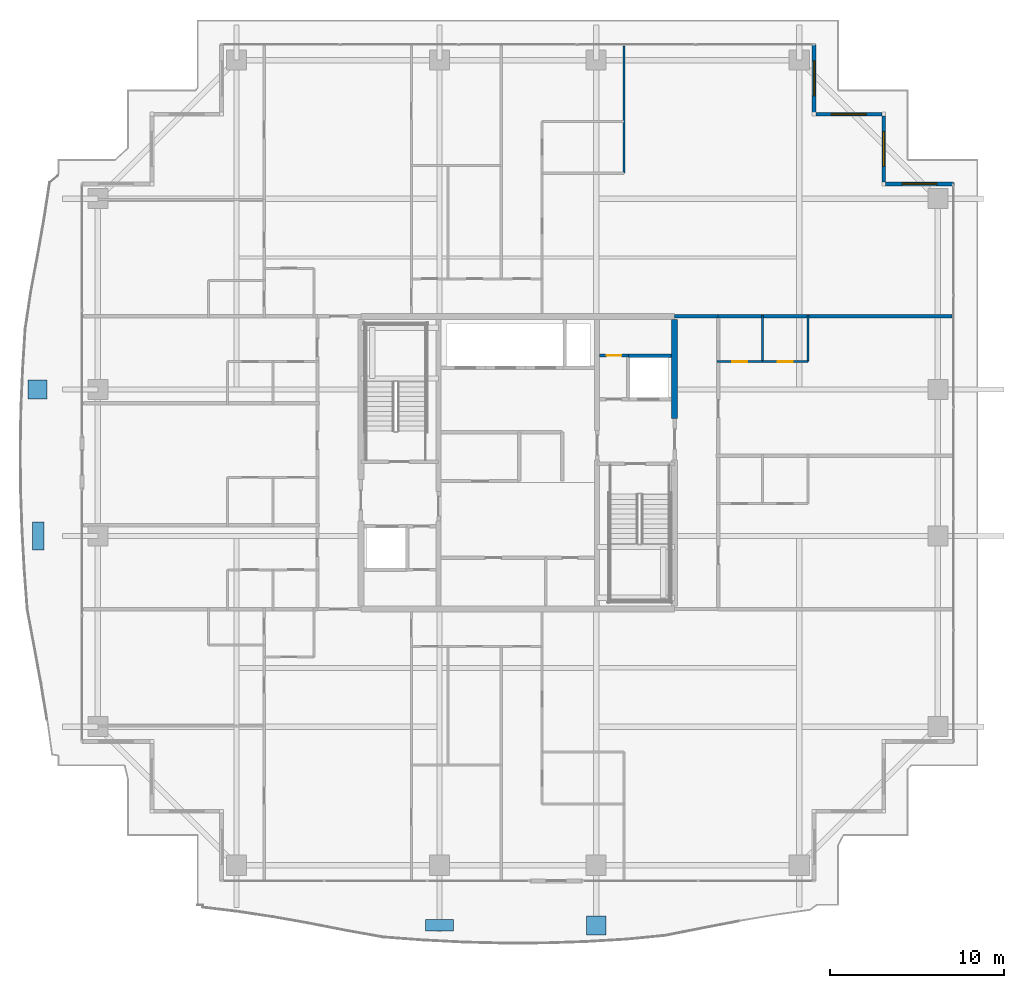
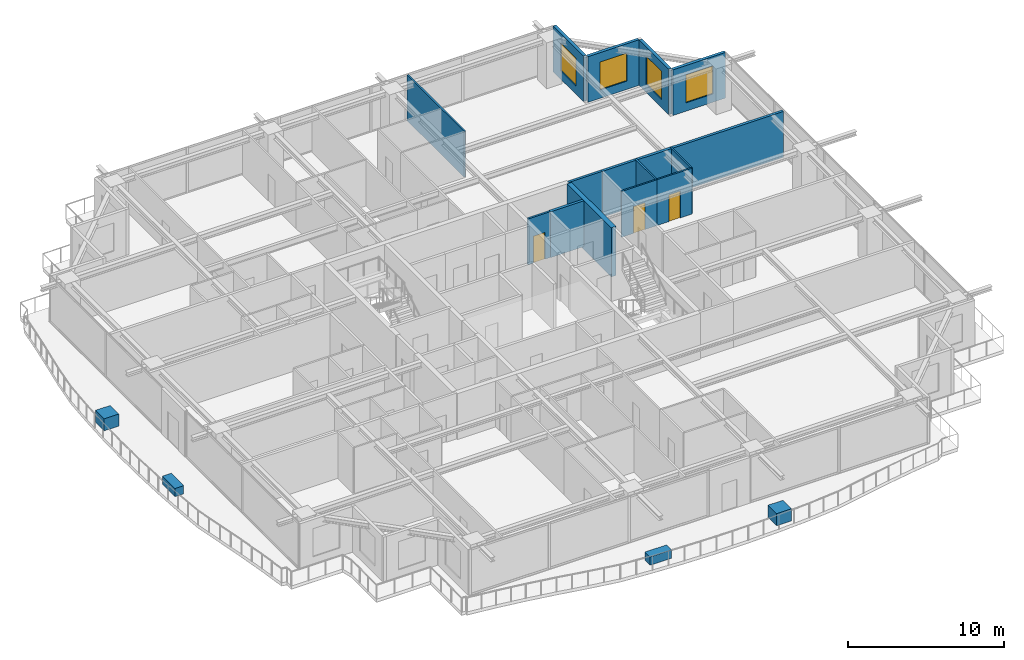
# One storey, part 29 of 36: 14 walls, 4 discrete accessories, 4 windows, 3 doors, 7 openings.
"""IFC4 building model written with IfcOpenShell, lengths in metres."""

from ifc_helpers import new_model, si_unit, direction, frame, frame_2d, origin, origin_2d, place, context, subcontext, project, spatial, rectangle, extrude, source, transform, mapped, material, layer, layer_set, type_object, element, fill, save


model = new_model("IFC4")

# Units and contexts
model_context = context("Model", 3, precision=1e-05, world=origin(), true_north=direction((0.0, 1.0)))
body_context = subcontext(model_context, "Body", "Model", "MODEL_VIEW")
ifc_project = project(units=[si_unit("LENGTHUNIT", "METRE"), si_unit("AREAUNIT", "SQUARE_METRE"), si_unit("VOLUMEUNIT", "CUBIC_METRE"), si_unit("PLANEANGLEUNIT", "RADIAN"), si_unit("MASSUNIT", "GRAM", prefix="KILO")], contexts=[model_context])

# Site, building, storey
site_placement = place(None, origin())
site = spatial("IfcSite", under=ifc_project, at=site_placement, CompositionType="ELEMENT")
building_placement = place(site_placement, origin())
building = spatial("IfcBuilding", under=site, at=building_placement, Name="Serunith Strait Residences", CompositionType="ELEMENT")
storey_placement = place(building_placement, frame((0.0, 0.0, 272.050048828125)))
storey = spatial("IfcBuildingStorey", under=building, at=storey_placement, Name="L68", CompositionType="ELEMENT", Elevation=272.050048828125)

# Wall, opening, window
ifc_material_1 = material(Name="Pale-Champagne Aluminium Insulated Panel", Category="aluminium")
ifc_layer_1 = layer(ifc_material_1, 0.219970703125, Name="Pale-Champagne Aluminium Insulated Panel")
ifc_layer_set_1 = layer_set([ifc_layer_1], Name="Pale-Champagne Aluminium Insulated Panel")
wall_type_1 = type_object("IfcWallType", Name="EW-ALUM-220", PredefinedType="ELEMENTEDWALL", material=ifc_layer_set_1)
wall_1_placement = place(storey_placement, frame((57.39990234375, 41.199951171875, 0.0), z_axis=(0.0, 0.0, 1.0), x_axis=(-1.0, 0.0, 0.0)))
wall_1 = element("IfcWall", 1, at=wall_1_placement, inside=storey, type_object=wall_type_1, Name="L68 Girih Serrated Corner Wall 07", PredefinedType="ELEMENTEDWALL", context=body_context, shape_type="SweptSolid", body=[
    extrude(rectangle(XDim=3.889892578125, YDim=0.219970703125, at=frame_2d((1.94482421875, 0.0))), origin(), (0.0, 0.0, 1.0), 3.574951171875),
])
opening_1_placement = place(wall_1_placement, frame((0.945068359375, 0.0, 0.64990234375)))
opening_1 = element("IfcOpeningElement", 2, at=opening_1_placement, cuts=wall_1, Name="Opening W-04", PredefinedType="OPENING", context=body_context, shape_type="SweptSolid", body=[
    extrude(rectangle(XDim=2.0, YDim=2.199951171875, at=frame_2d((1.0, 1.10009765625))), frame((0.0, 0.1201171875, 0.0), z_axis=(0.0, -1.0, 0.0), x_axis=(1.0, 0.0, 0.0)), (0.0, 0.0, 1.0), 0.239990234375),
])
ifc_material_2 = material(Name="Ceramic-Fritted Operable Aluminium Window Glass", Category="aluminium")
window_type = type_object("IfcWindowType", Name="WIN-C4", PartitioningType="TRIPLE_PANEL_VERTICAL", PredefinedType="WINDOW", material=ifc_material_2)
shared_shape_1 = source(origin(), body_context, "Body", "SweptSolid", [
    extrude(rectangle(XDim=2.0, YDim=2.199951171875, at=frame_2d((1.0, 1.10009765625))), frame((0.0, 0.030029296875, 0.0), z_axis=(0.0, -1.0, 0.0), x_axis=(1.0, 0.0, 0.0)), (0.0, 0.0, 1.0), 0.06005859375),
])
window_1_placement = place(opening_1_placement, origin())
window_1 = element("IfcWindow", 3, at=window_1_placement, inside=storey, type_object=window_type, Name="L68 Corner Operable Fritted Window 07", OverallHeight=2.199951171875, OverallWidth=2.0, PartitioningType="SINGLE_PANEL", PredefinedType="WINDOW", context=body_context, shape_type="MappedRepresentation", body=[
    mapped(shared_shape_1, transform((0.0, 0.0, 0.0), scale=1.0)),
])
fill(opening_1, window_1)

wall_2_placement = place(storey_placement, frame((53.39990234375, 41.31005859375, 0.0), z_axis=(0.0, 0.0, 1.0), x_axis=(0.0, 1.0, 0.0)))
wall_2 = element("IfcWall", 4, at=wall_2_placement, inside=storey, type_object=wall_type_1, Name="L68 Girih Serrated Corner Wall 08", PredefinedType="ELEMENTEDWALL", context=body_context, shape_type="SweptSolid", body=[
    extrude(rectangle(XDim=3.780029296875, YDim=0.219970703125, at=frame_2d((1.89013671875, 0.0))), origin(), (0.0, 0.0, 1.0), 3.574951171875),
])
opening_2_placement = place(wall_2_placement, frame((0.889892578125, 0.0, 0.64990234375)))
opening_2 = element("IfcOpeningElement", 5, at=opening_2_placement, cuts=wall_2, Name="Opening W-04", PredefinedType="OPENING", context=body_context, shape_type="SweptSolid", body=[
    extrude(rectangle(XDim=2.0, YDim=2.199951171875, at=frame_2d((1.0, 1.10009765625))), frame((0.0, 0.1201171875, 0.0), z_axis=(0.0, -1.0, 0.0), x_axis=(1.0, 0.0, 0.0)), (0.0, 0.0, 1.0), 0.239990234375),
])
window_2_placement = place(opening_2_placement, origin())
window_2 = element("IfcWindow", 6, at=window_2_placement, inside=storey, type_object=window_type, Name="L68 Corner Operable Fritted Window 08", OverallHeight=2.199951171875, OverallWidth=2.0, PartitioningType="SINGLE_PANEL", PredefinedType="WINDOW", context=body_context, shape_type="MappedRepresentation", body=[
    mapped(shared_shape_1, transform((0.0, 0.0, 0.0), scale=1.0)),
])
fill(opening_2, window_2)

wall_3_placement = place(storey_placement, frame((53.2900390625, 45.199951171875, 0.0), z_axis=(0.0, 0.0, 1.0), x_axis=(-1.0, 0.0, 0.0)))
wall_3 = element("IfcWall", 7, at=wall_3_placement, inside=storey, type_object=wall_type_1, Name="L68 Girih Serrated Corner Wall 09", PredefinedType="ELEMENTEDWALL", context=body_context, shape_type="SweptSolid", body=[
    extrude(rectangle(XDim=3.780029296875, YDim=0.219970703125, at=frame_2d((1.89013671875, 0.0))), origin(), (0.0, 0.0, 1.0), 3.574951171875),
])
opening_3_placement = place(wall_3_placement, frame((0.889892578125, 0.0, 0.64990234375)))
opening_3 = element("IfcOpeningElement", 8, at=opening_3_placement, cuts=wall_3, Name="Opening W-04", PredefinedType="OPENING", context=body_context, shape_type="SweptSolid", body=[
    extrude(rectangle(XDim=2.0, YDim=2.199951171875, at=frame_2d((1.0, 1.10009765625))), frame((0.0, 0.1201171875, 0.0), z_axis=(0.0, -1.0, 0.0), x_axis=(1.0, 0.0, 0.0)), (0.0, 0.0, 1.0), 0.239990234375),
])
window_3_placement = place(opening_3_placement, origin())
window_3 = element("IfcWindow", 9, at=window_3_placement, inside=storey, type_object=window_type, Name="L68 Corner Operable Fritted Window 09", OverallHeight=2.199951171875, OverallWidth=2.0, PartitioningType="SINGLE_PANEL", PredefinedType="WINDOW", context=body_context, shape_type="MappedRepresentation", body=[
    mapped(shared_shape_1, transform((0.0, 0.0, 0.0), scale=1.0)),
])
fill(opening_3, window_3)

wall_4_placement = place(storey_placement, frame((49.39990234375, 45.31005859375, 0.0), z_axis=(0.0, 0.0, 1.0), x_axis=(0.0, 1.0, 0.0)))
wall_4 = element("IfcWall", 10, at=wall_4_placement, inside=storey, type_object=wall_type_1, Name="L68 Girih Serrated Corner Wall 10", PredefinedType="ELEMENTEDWALL", context=body_context, shape_type="SweptSolid", body=[
    extrude(rectangle(XDim=3.889892578125, YDim=0.219970703125, at=frame_2d((1.94482421875, 0.0))), origin(), (0.0, 0.0, 1.0), 3.574951171875),
])
opening_4_placement = place(wall_4_placement, frame((0.945068359375, 0.0, 0.64990234375)))
opening_4 = element("IfcOpeningElement", 11, at=opening_4_placement, cuts=wall_4, Name="Opening W-04", PredefinedType="OPENING", context=body_context, shape_type="SweptSolid", body=[
    extrude(rectangle(XDim=2.0, YDim=2.199951171875, at=frame_2d((1.0, 1.10009765625))), frame((0.0, 0.1201171875, 0.0), z_axis=(0.0, -1.0, 0.0), x_axis=(1.0, 0.0, 0.0)), (0.0, 0.0, 1.0), 0.239990234375),
])
window_4_placement = place(opening_4_placement, origin())
window_4 = element("IfcWindow", 12, at=window_4_placement, inside=storey, type_object=window_type, Name="L68 Corner Operable Fritted Window 10", OverallHeight=2.199951171875, OverallWidth=2.0, PartitioningType="SINGLE_PANEL", PredefinedType="WINDOW", context=body_context, shape_type="MappedRepresentation", body=[
    mapped(shared_shape_1, transform((0.0, 0.0, 0.0), scale=1.0)),
])
fill(opening_4, window_4)

# Wall, opening, door
ifc_material_3 = material(Name="Fire-rated masonry service closet wall", Category="masonry")
ifc_layer_2 = layer(ifc_material_3, 0.14990234375, Name="Fire-rated masonry service closet wall")
ifc_layer_set_2 = layer_set([ifc_layer_2], Name="Fire-rated masonry service closet wall")
wall_type_2 = type_object("IfcWallType", Name="IW-BOH-150", PredefinedType="PARTITIONING", material=ifc_layer_set_2)
wall_5_placement = place(storey_placement, frame((37.10009765625, 31.35009765625, 0.0), z_axis=(0.0, 0.0, 1.0), x_axis=(1.0, 0.0, 0.0)))
wall_5 = element("IfcWall", 13, at=wall_5_placement, inside=storey, type_object=wall_type_2, Name="L68 Partition Wall 012", PredefinedType="PARTITIONING", context=body_context, shape_type="SweptSolid", body=[
    extrude(rectangle(XDim=1.64794921875, YDim=0.14990234375, at=frame_2d((0.823974609375, 0.0))), origin(), (0.0, 0.0, 1.0), 3.58984375),
])
opening_5_placement = place(wall_5_placement, frame((0.39892578125, 0.0, 0.0)))
opening_5 = element("IfcOpeningElement", 14, at=opening_5_placement, cuts=wall_5, Name="Opening FD-850", PredefinedType="OPENING", context=body_context, shape_type="SweptSolid", body=[
    extrude(rectangle(XDim=0.85009765625, YDim=2.10009765625, at=frame_2d((0.425048828125, 1.050048828125))), frame((0.0, 0.0849609375, 0.0), z_axis=(0.0, -1.0, 0.0), x_axis=(1.0, 0.0, 0.0)), (0.0, 0.0, 1.0), 0.169921875),
])
ifc_material_4 = material(Name="Powder-coated steel service closet door", Category="steel")
door_type_1 = type_object("IfcDoorType", Name="FD-BOH-850", OperationType="NOTDEFINED", PredefinedType="DOOR", material=ifc_material_4)
shared_shape_2 = source(origin(), body_context, "Body", "SweptSolid", [
    extrude(rectangle(XDim=0.85009765625, YDim=2.10009765625, at=frame_2d((0.425048828125, 1.050048828125))), frame((0.0, 0.02490234375, 0.0), z_axis=(0.0, -1.0, 0.0), x_axis=(1.0, 0.0, 0.0)), (0.0, 0.0, 1.0), 0.050048828125),
])
door_1_placement = place(opening_5_placement, origin())
door_1 = element("IfcDoor", 15, at=door_1_placement, inside=storey, type_object=door_type_1, Name="L68 Refuse Store Door", OperationType="SINGLE_SWING_LEFT", OverallHeight=2.10009765625, OverallWidth=0.85009765625, PredefinedType="DOOR", context=body_context, shape_type="MappedRepresentation", body=[
    mapped(shared_shape_2, transform((0.0, 0.0, 0.0), scale=1.0)),
])
fill(opening_5, door_1)

# Walls
ifc_material_5 = material(Name="Fire-rated acoustic gypsum partition")
ifc_layer_3 = layer(ifc_material_5, 0.179931640625, Name="Fire-rated acoustic gypsum partition")
ifc_layer_set_3 = layer_set([ifc_layer_3], Name="Fire-rated acoustic gypsum partition")
wall_type_3 = type_object("IfcWallType", Name="IW-CORR-180", PredefinedType="PARTITIONING", material=ifc_layer_set_3)
wall_6_placement = place(storey_placement, frame((41.402099609375, 33.60009765625, 0.0), z_axis=(0.0, 0.0, 1.0), x_axis=(1.0, 0.0, 0.0)))
element("IfcWall", 16, at=wall_6_placement, inside=storey, type_object=wall_type_3, Name="L68 Partition Wall 031", PredefinedType="PARTITIONING", context=body_context, shape_type="SweptSolid", body=[
    extrude(rectangle(XDim=2.495849609375, YDim=0.179931640625, at=frame_2d((1.248046875, 0.0))), origin(), (0.0, 0.0, 1.0), 3.58984375),
])
ifc_material_6 = material(Name="Lightweight steel-stud gypsum partition", Category="steel")
ifc_layer_4 = layer(ifc_material_6, 0.1201171875, Name="Lightweight steel-stud gypsum partition")
ifc_layer_set_4 = layer_set([ifc_layer_4], Name="Lightweight steel-stud gypsum partition")
wall_type_4 = type_object("IfcWallType", Name="IW-PART-120", PredefinedType="PARTITIONING", material=ifc_layer_set_4)
wall_7_placement = place(storey_placement, frame((38.5, 49.10498046875, 0.0), z_axis=(0.0, 0.0, 1.0), x_axis=(0.0, -1.0, 0.0)))
element("IfcWall", 17, at=wall_7_placement, inside=storey, type_object=wall_type_4, Name="L68 Partition Wall 074", PredefinedType="PARTITIONING", context=body_context, shape_type="SweptSolid", body=[
    extrude(rectangle(XDim=7.29296875, YDim=0.1201171875, at=frame_2d((3.646484375, 0.0))), origin(), (0.0, 0.0, 1.0), 3.58984375),
])

# Wall, opening, door
wall_8_placement = place(storey_placement, frame((49.050048828125, 31.0, 0.0), z_axis=(0.0, 0.0, 1.0), x_axis=(-1.0, 0.0, 0.0)))
wall_8 = element("IfcWall", 18, at=wall_8_placement, inside=storey, type_object=wall_type_4, Name="L68 Partition Wall 095", PredefinedType="PARTITIONING", context=body_context, shape_type="SweptSolid", body=[
    extrude(rectangle(XDim=2.60009765625, YDim=0.1201171875, at=frame_2d((1.300048828125, 0.0))), origin(), (0.0, 0.0, 1.0), 3.58984375),
])
opening_6_placement = place(wall_8_placement, frame((0.875, 0.0, 0.0)))
opening_6 = element("IfcOpeningElement", 19, at=opening_6_placement, cuts=wall_8, Name="Opening D-RM850", PredefinedType="OPENING", context=body_context, shape_type="SweptSolid", body=[
    extrude(rectangle(XDim=0.85009765625, YDim=2.10009765625, at=frame_2d((0.425048828125, 1.050048828125))), frame((0.0, 0.070068359375, 0.0), z_axis=(0.0, -1.0, 0.0), x_axis=(1.0, 0.0, 0.0)), (0.0, 0.0, 1.0), 0.14013671875),
])
ifc_material_7 = material(Name="Engineered timber flush study and kitchen door", Category="wood")
door_type_2 = type_object("IfcDoorType", Name="ID-ROOM-850", OperationType="NOTDEFINED", PredefinedType="DOOR", material=ifc_material_7)
door_2_placement = place(opening_6_placement, origin())
door_2 = element("IfcDoor", 20, at=door_2_placement, inside=storey, type_object=door_type_2, Name="L68 Kitchen 6807 Door", OperationType="SINGLE_SWING_RIGHT", OverallHeight=2.10009765625, OverallWidth=0.85009765625, PredefinedType="DOOR", context=body_context, shape_type="MappedRepresentation", body=[
    mapped(shared_shape_2, transform((0.0, 0.0, 0.0), scale=1.0)),
])
fill(opening_6, door_2)

wall_9_placement = place(storey_placement, frame((46.447998046875, 31.0, 0.0), z_axis=(0.0, 0.0, 1.0), x_axis=(-1.0, 0.0, 0.0)))
wall_9 = element("IfcWall", 21, at=wall_9_placement, inside=storey, type_object=wall_type_4, Name="L68 Partition Wall 096", PredefinedType="PARTITIONING", context=body_context, shape_type="SweptSolid", body=[
    extrude(rectangle(XDim=2.60791015625, YDim=0.1201171875, at=frame_2d((1.303955078125, 0.0))), origin(), (0.0, 0.0, 1.0), 3.58984375),
])
opening_7_placement = place(wall_9_placement, frame((0.87890625, 0.0, 0.0)))
opening_7 = element("IfcOpeningElement", 22, at=opening_7_placement, cuts=wall_9, Name="Opening D-BTH850", PredefinedType="OPENING", context=body_context, shape_type="SweptSolid", body=[
    extrude(rectangle(XDim=0.85009765625, YDim=2.10009765625, at=frame_2d((0.425048828125, 1.050048828125))), frame((0.0, 0.070068359375, 0.0), z_axis=(0.0, -1.0, 0.0), x_axis=(1.0, 0.0, 0.0)), (0.0, 0.0, 1.0), 0.14013671875),
])
ifc_material_8 = material(Name="Moisture-resistant timber bathroom door", Category="wood")
door_type_3 = type_object("IfcDoorType", Name="ID-BATH-850", OperationType="NOTDEFINED", PredefinedType="DOOR", material=ifc_material_8)
door_3_placement = place(opening_7_placement, origin())
door_3 = element("IfcDoor", 23, at=door_3_placement, inside=storey, type_object=door_type_3, Name="L68 Bathroom 6807 Door", OperationType="SINGLE_SWING_LEFT", OverallHeight=2.10009765625, OverallWidth=0.85009765625, PredefinedType="DOOR", context=body_context, shape_type="MappedRepresentation", body=[
    mapped(shared_shape_2, transform((0.0, 0.0, 0.0), scale=1.0)),
])
fill(opening_7, door_3)

# Walls
for number, where, z_axis, x_axis, name in (
    (24, (46.449951171875, 31.0, 0.0), (0.0, 0.0, 1.0), (0.0, 1.0, 0.0), "L68 Partition Wall 097"),
    (25, (49.050048828125, 31.0, 0.0), (0.0, 0.0, 1.0), (0.0, 1.0, 0.0), "L68 Partition Wall 098"),
):
    element("IfcWall", number, at=place(storey_placement, frame(where, z_axis=z_axis, x_axis=x_axis)), inside=storey, type_object=wall_type_4, Name=name, PredefinedType="PARTITIONING", context=body_context, shape_type="SweptSolid", body=[
        extrude(rectangle(XDim=2.659912109375, YDim=0.1201171875, at=frame_2d((1.330078125, 0.0))), origin(), (0.0, 0.0, 1.0), 3.58984375),
    ])
ifc_material_9 = material(Name="Twin-stud acoustic gypsum board partition")
ifc_layer_5 = layer(ifc_material_9, 0.199951171875, Name="Twin-stud acoustic gypsum board partition")
ifc_layer_set_5 = layer_set([ifc_layer_5], Name="Twin-stud acoustic gypsum board partition")
wall_type_5 = type_object("IfcWallType", Name="IW-PARTY-200", PredefinedType="PARTITIONING", material=ifc_layer_set_5)
wall_10_placement = place(storey_placement, frame((43.89990234375, 33.60009765625, 0.0), z_axis=(0.0, 0.0, 1.0), x_axis=(1.0, 0.0, 0.0)))
element("IfcWall", 26, at=wall_10_placement, inside=storey, type_object=wall_type_5, Name="L68 Partition Wall 026", PredefinedType="PARTITIONING", context=body_context, shape_type="SweptSolid", body=[
    extrude(rectangle(XDim=13.418212890625, YDim=0.199951171875, at=frame_2d((6.708984375, 0.0))), origin(), (0.0, 0.0, 1.0), 3.58984375),
])
ifc_material_10 = material(Name="Autoclaved aerated concrete blockwork", Category="masonry")
ifc_layer_6 = layer(ifc_material_10, 0.199951171875, Name="Autoclaved aerated concrete blockwork")
ifc_layer_set_6 = layer_set([ifc_layer_6], Name="Autoclaved aerated concrete blockwork")
wall_type_6 = type_object("IfcWallType", Name="IW-SHAFT-200", PredefinedType="STANDARD", material=ifc_layer_set_6)
wall_11_placement = place(storey_placement, frame((38.75, 31.35009765625, 0.0), z_axis=(0.0, 0.0, 1.0), x_axis=(1.0, 0.0, 0.0)))
element("IfcWall", 27, at=wall_11_placement, inside=storey, type_object=wall_type_6, Name="L68 Partition Wall 005", PredefinedType="STANDARD", context=body_context, shape_type="SweptSolid", body=[
    extrude(rectangle(XDim=2.47509765625, YDim=0.199951171875, at=frame_2d((1.237548828125, 0.0))), origin(), (0.0, 0.0, 1.0), 3.58984375),
])
ifc_material_11 = material(Name="Concrete C60/75", Category="concrete")
ifc_layer_7 = layer(ifc_material_11, 0.35009765625, Name="Concrete C60/75")
ifc_layer_set_7 = layer_set([ifc_layer_7], Name="Concrete C60/75")
wall_type_7 = type_object("IfcWallType", Name="SW-350-C60", PredefinedType="SHEAR", material=ifc_layer_set_7)
wall_12_placement = place(storey_placement, frame((41.39990234375, 27.75, -0.260009765625), z_axis=(0.0, 0.0, 1.0), x_axis=(0.0, 1.0, 0.0)))
element("IfcWall", 28, at=wall_12_placement, inside=storey, type_object=wall_type_7, Name="L68 Core East Shear Wall North Pier", PredefinedType="SHEAR", context=body_context, shape_type="SweptSolid", body=[
    extrude(rectangle(XDim=5.675048828125, YDim=0.35009765625, at=frame_2d((2.83740234375, 0.0))), origin(), (0.0, 0.0, 1.0), 3.847900390625),
])

# Discrete accessories
ifc_material_12 = material(Name="GFRC Root-Anchored Structural Planter")
discrete_accessory_type_1 = type_object("IfcDiscreteAccessoryType", Name="ACC-PLANTER-TREE", PredefinedType="USERDEFINED", material=ifc_material_12)
shared_shape_3 = source(origin(), body_context, "Body", "SweptSolid", [
    extrude(rectangle(XDim=1.10009765625, YDim=1.10009765625, at=origin_2d()), origin(), (0.0, 0.0, 1.0), 0.949951171875),
])
for number, where, z_axis, x_axis, name in (
    (29, (36.89990234375, -1.351806640625, -0.0498046875), (0.0, 0.0, 1.0), (1.0, 0.0, 0.0), "L68 Vertical-Forest Tree Planter 03"),
    (30, (4.843994140625, 29.39990234375, -0.0498046875), (0.0, 0.0, 1.0), (0.0, -1.0, 0.0), "L68 Vertical-Forest Tree Planter 15"),
):
    element("IfcDiscreteAccessory", number, at=place(storey_placement, frame(where, z_axis=z_axis, x_axis=x_axis)), inside=storey, type_object=discrete_accessory_type_1, Name=name, ObjectType="PLANTER", PredefinedType="USERDEFINED", context=body_context, shape_type="MappedRepresentation", body=[
        mapped(shared_shape_3, transform((0.0, 0.0, 0.0), scale=1.0)),
    ])
ifc_material_13 = material(Name="GFRC Irrigated Shrub Trough Planter")
discrete_accessory_type_2 = type_object("IfcDiscreteAccessoryType", Name="ACC-PLANTER-SHRUB", PredefinedType="USERDEFINED", material=ifc_material_13)
shared_shape_4 = source(origin(), body_context, "Body", "SweptSolid", [
    extrude(rectangle(XDim=1.60009765625, YDim=0.64990234375, at=origin_2d()), origin(), (0.0, 0.0, 1.0), 0.64990234375),
])
for number, where, z_axis, x_axis, name in (
    (31, (27.89990234375, -1.3447265625, -0.050048828125), (0.0, 0.0, 1.0), (1.0, 0.0, 0.0), "L68 Vertical-Forest Shrub Planter 02"),
    (32, (4.8759765625, 21.0, -0.050048828125), (0.0, 0.0, 1.0), (0.0, -1.0, 0.0), "L68 Vertical-Forest Shrub Planter 14"),
):
    element("IfcDiscreteAccessory", number, at=place(storey_placement, frame(where, z_axis=z_axis, x_axis=x_axis)), inside=storey, type_object=discrete_accessory_type_2, Name=name, ObjectType="PLANTER", PredefinedType="USERDEFINED", context=body_context, shape_type="MappedRepresentation", body=[
        mapped(shared_shape_4, transform((0.0, 0.0, 0.0), scale=1.0)),
    ])

save(model, "model.ifc")
